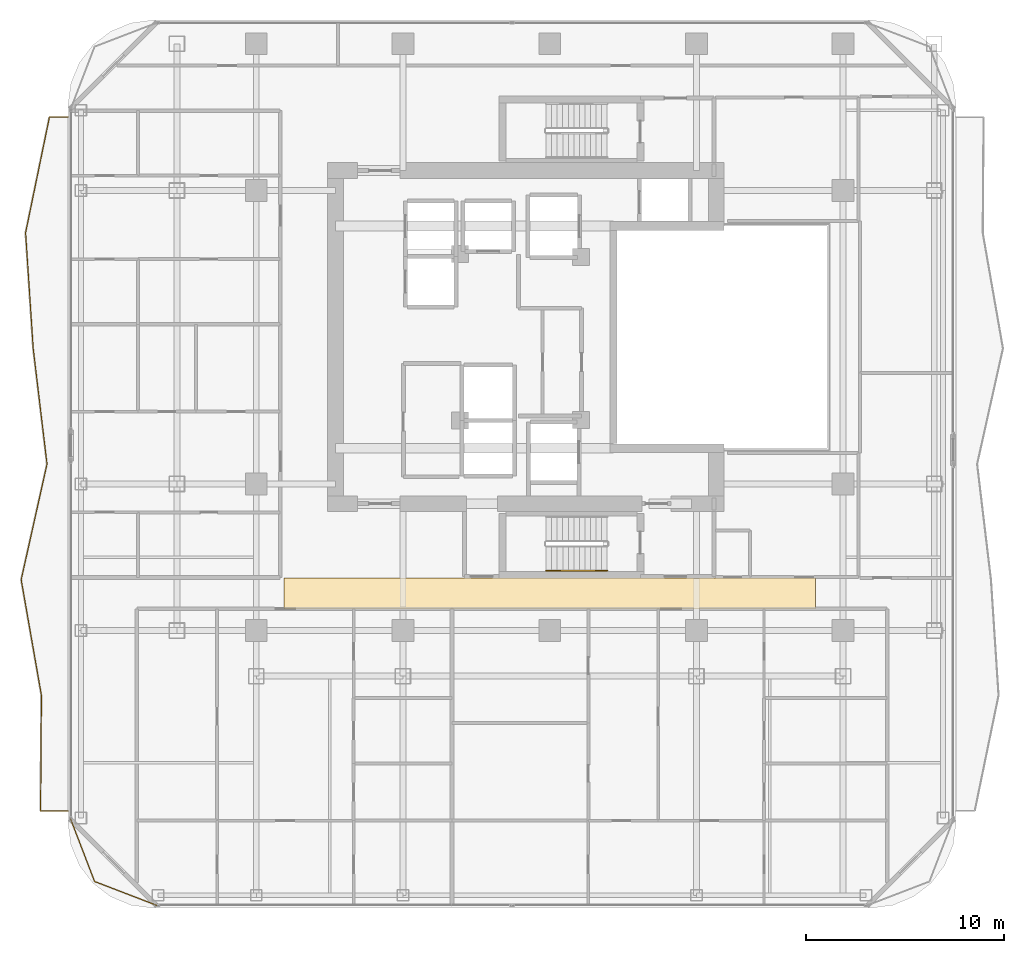
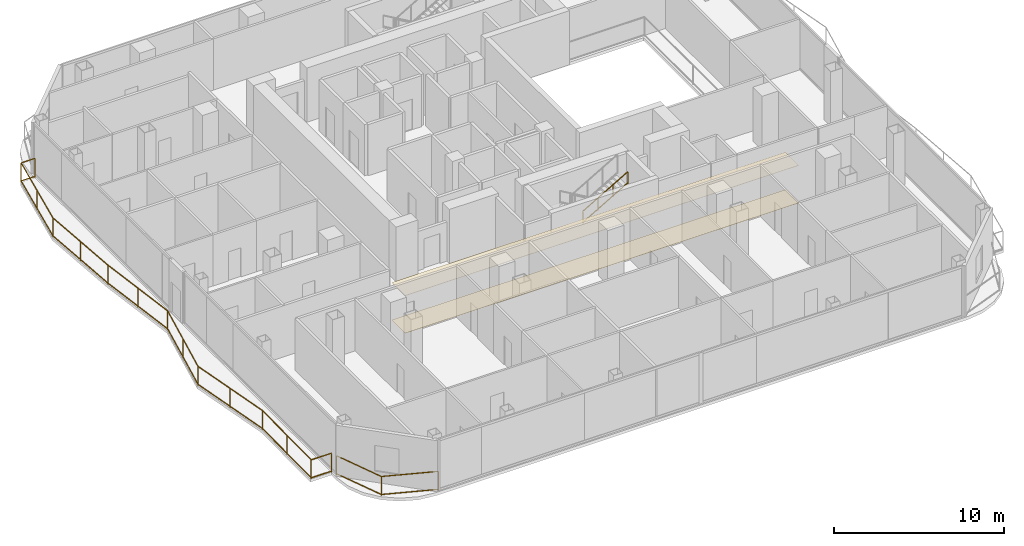
# One storey, part 21 of 23: 3 railings, 2 coverings.
"""IFC4 building model written with IfcOpenShell, lengths in metres."""

from ifc_helpers import new_model, si_unit, direction, frame, origin, origin_2d, place, context, subcontext, project, spatial, polyline, rectangle, outline, extrude, material, layer, layer_set, type_object, element, save


model = new_model("IFC4")

# Units and contexts
model_context = context("Model", 3, precision=1e-05, world=origin(), true_north=direction((0.0, 1.0)))
body_context = subcontext(model_context, "Body", "Model", "MODEL_VIEW")
ifc_project = project(units=[si_unit("LENGTHUNIT", "METRE"), si_unit("AREAUNIT", "SQUARE_METRE"), si_unit("VOLUMEUNIT", "CUBIC_METRE"), si_unit("PLANEANGLEUNIT", "RADIAN"), si_unit("MASSUNIT", "GRAM", prefix="KILO")], contexts=[model_context])

# Site, building, storey
site_placement = place(None, origin())
site = spatial("IfcSite", under=ifc_project, at=site_placement, CompositionType="ELEMENT")
building_placement = place(site_placement, origin())
building = spatial("IfcBuilding", under=site, at=building_placement, Name="Khorvyn Point Tower", CompositionType="ELEMENT")
storey_placement = place(building_placement, frame((0.0, 0.0, 199.199951171875)))
storey = spatial("IfcBuildingStorey", under=building, at=storey_placement, Name="L49", CompositionType="ELEMENT", Elevation=199.199951171875)

# Railings
ifc_material_1 = material(Name="Anodised aluminium 6063-T6 and laminated safety glass", Category="aluminium")
railing_type_1 = type_object("IfcRailingType", Name="Laminated Glass and Aluminium Balcony Guardrail 1400", PredefinedType="BALUSTRADE", material=ifc_material_1)
railing_1_placement = place(storey_placement, frame((-24.17431640625, -24.28125, 0.0)))
element("IfcRailing", 1, at=railing_1_placement, inside=storey, type_object=railing_type_1, Name="L49 Rounded Corner Edge Guardrail SW", PredefinedType="BALUSTRADE", context=body_context, shape_type="SweptSolid", body=[
    extrude(rectangle(XDim=0.048095703125, YDim=0.048095703125, at=origin_2d()), frame((0.0, 0.0, 1.3759765625), z_axis=(0.358343916815, -0.933589651443, 0.0), x_axis=(0.933589651443, 0.358343916815, 0.0)), (0.0, 0.0, 1.0), 3.400390625),
    extrude(rectangle(XDim=0.048095703125, YDim=0.048095703125, at=origin_2d()), frame((0.0, 0.0, 0.080078125), z_axis=(0.358343916815, -0.933589651443, 0.0), x_axis=(0.933589651443, 0.358343916815, 0.0)), (0.0, 0.0, 1.0), 3.400390625),
    extrude(rectangle(XDim=0.048095703125, YDim=0.048095703125, at=origin_2d()), frame((1.218505859375, -3.174560546875, 1.3759765625), z_axis=(0.933589651443, -0.358343916815, 0.0), x_axis=(0.358343916815, 0.933589651443, 0.0)), (0.0, 0.0, 1.0), 3.400390625),
    extrude(rectangle(XDim=0.048095703125, YDim=0.048095703125, at=origin_2d()), frame((1.218505859375, -3.174560546875, 0.080078125), z_axis=(0.933589651443, -0.358343916815, 0.0), x_axis=(0.358343916815, 0.933589651443, 0.0)), (0.0, 0.0, 1.0), 3.400390625),
    extrude(rectangle(XDim=0.0419921875, YDim=0.0419921875, at=origin_2d()), origin(), (0.0, 0.0, 1.0), 1.351806640625),
    extrude(rectangle(XDim=0.0419921875, YDim=0.0419921875, at=origin_2d()), frame((1.218505859375, -3.174560546875, 0.0)), (0.0, 0.0, 1.0), 1.351806640625),
    extrude(rectangle(XDim=0.0419921875, YDim=0.0419921875, at=origin_2d()), frame((4.39306640625, -4.39306640625, 0.0)), (0.0, 0.0, 1.0), 1.351806640625),
])
railing_2_placement = place(storey_placement, frame((-24.300048828125, 11.10009765625, 0.0)))
element("IfcRailing", 2, at=railing_2_placement, inside=storey, type_object=railing_type_1, Name="L49 West Balcony Guardrail", PredefinedType="BALUSTRADE", context=body_context, shape_type="SweptSolid", body=[
    extrude(rectangle(XDim=0.048095703125, YDim=0.048095703125, at=origin_2d()), frame((0.0, 0.0, 1.3759765625), z_axis=(-1.0, 0.0, 0.0), x_axis=(0.0, -1.0, 0.0)), (0.0, 0.0, 1.0), 0.932373046875),
    extrude(rectangle(XDim=0.048095703125, YDim=0.048095703125, at=origin_2d()), frame((0.0, 0.0, 0.080078125), z_axis=(-1.0, 0.0, 0.0), x_axis=(0.0, -1.0, 0.0)), (0.0, 0.0, 1.0), 0.932373046875),
    extrude(rectangle(XDim=0.048095703125, YDim=0.048095703125, at=origin_2d()), frame((-0.932373046875, 0.0, 1.3759765625), z_axis=(-0.201992928679, -0.979386980087, 0.0), x_axis=(0.979386980087, -0.201992928679, 0.0)), (0.0, 0.0, 1.0), 5.956298828125),
    extrude(rectangle(XDim=0.048095703125, YDim=0.048095703125, at=origin_2d()), frame((-0.932373046875, 0.0, 0.080078125), z_axis=(-0.201992928679, -0.979386980087, 0.0), x_axis=(0.979386980087, -0.201992928679, 0.0)), (0.0, 0.0, 1.0), 5.956298828125),
    extrude(rectangle(XDim=0.048095703125, YDim=0.048095703125, at=origin_2d()), frame((-2.135498046875, -5.83349609375, 1.3759765625), z_axis=(0.065609804276, -0.997845355545, 0.0), x_axis=(0.997845355545, 0.065609804276, 0.0)), (0.0, 0.0, 1.0), 5.845947265625),
    extrude(rectangle(XDim=0.048095703125, YDim=0.048095703125, at=origin_2d()), frame((-2.135498046875, -5.83349609375, 0.080078125), z_axis=(0.065609804276, -0.997845355545, 0.0), x_axis=(0.997845355545, 0.065609804276, 0.0)), (0.0, 0.0, 1.0), 5.845947265625),
    extrude(rectangle(XDim=0.048095703125, YDim=0.048095703125, at=origin_2d()), frame((-1.751953125, -11.666748046875, 1.3759765625), z_axis=(0.118688010745, -0.992931596891, 0.0), x_axis=(0.992931596891, 0.118688010745, 0.0)), (0.0, 0.0, 1.0), 5.874755859375),
    extrude(rectangle(XDim=0.048095703125, YDim=0.048095703125, at=origin_2d()), frame((-1.751953125, -11.666748046875, 0.080078125), z_axis=(0.118688010745, -0.992931596891, 0.0), x_axis=(0.992931596891, 0.118688010745, 0.0)), (0.0, 0.0, 1.0), 5.874755859375),
    extrude(rectangle(XDim=0.048095703125, YDim=0.048095703125, at=origin_2d()), frame((-1.0546875, -17.5, 1.3759765625), z_axis=(-0.217989898033, -0.975951025593, 0.0), x_axis=(0.975951025593, -0.217989898033, 0.0)), (0.0, 0.0, 1.0), 5.977294921875),
    extrude(rectangle(XDim=0.048095703125, YDim=0.048095703125, at=origin_2d()), frame((-1.0546875, -17.5, 0.080078125), z_axis=(-0.217989898033, -0.975951025593, 0.0), x_axis=(0.975951025593, -0.217989898033, 0.0)), (0.0, 0.0, 1.0), 5.977294921875),
    extrude(rectangle(XDim=0.048095703125, YDim=0.048095703125, at=origin_2d()), frame((-2.357666015625, -23.33349609375, 1.3759765625), z_axis=(0.172409332751, -0.985025391541, 0.0), x_axis=(0.985025391541, 0.172409332751, 0.0)), (0.0, 0.0, 1.0), 5.921875),
    extrude(rectangle(XDim=0.048095703125, YDim=0.048095703125, at=origin_2d()), frame((-2.357666015625, -23.33349609375, 0.080078125), z_axis=(0.172409332751, -0.985025391541, 0.0), x_axis=(0.985025391541, 0.172409332751, 0.0)), (0.0, 0.0, 1.0), 5.921875),
    extrude(rectangle(XDim=0.048095703125, YDim=0.048095703125, at=origin_2d()), frame((-1.336669921875, -29.166748046875, 1.3759765625), z_axis=(-0.00744967399, -0.999972250794, 0.0), x_axis=(0.999972250794, -0.00744967399, 0.0)), (0.0, 0.0, 1.0), 5.83349609375),
    extrude(rectangle(XDim=0.048095703125, YDim=0.048095703125, at=origin_2d()), frame((-1.336669921875, -29.166748046875, 0.080078125), z_axis=(-0.00744967399, -0.999972250794, 0.0), x_axis=(0.999972250794, -0.00744967399, 0.0)), (0.0, 0.0, 1.0), 5.83349609375),
    extrude(rectangle(XDim=0.048095703125, YDim=0.048095703125, at=origin_2d()), frame((-1.380126953125, -35.0, 1.3759765625), z_axis=(1.0, 0.0, 0.0), x_axis=(0.0, 1.0, 0.0)), (0.0, 0.0, 1.0), 1.380126953125),
    extrude(rectangle(XDim=0.048095703125, YDim=0.048095703125, at=origin_2d()), frame((-1.380126953125, -35.0, 0.080078125), z_axis=(1.0, 0.0, 0.0), x_axis=(0.0, 1.0, 0.0)), (0.0, 0.0, 1.0), 1.380126953125),
    extrude(rectangle(XDim=0.0419921875, YDim=0.0419921875, at=origin_2d()), origin(), (0.0, 0.0, 1.0), 1.351806640625),
    extrude(rectangle(XDim=0.0419921875, YDim=0.0419921875, at=origin_2d()), frame((-0.932373046875, 0.0, 0.0)), (0.0, 0.0, 1.0), 1.351806640625),
    extrude(rectangle(XDim=0.0419921875, YDim=0.0419921875, at=origin_2d()), frame((-1.533935546875, -2.916748046875, 0.0)), (0.0, 0.0, 1.0), 1.351806640625),
    extrude(rectangle(XDim=0.0419921875, YDim=0.0419921875, at=origin_2d()), frame((-2.135498046875, -5.83349609375, 0.0)), (0.0, 0.0, 1.0), 1.351806640625),
    extrude(rectangle(XDim=0.0419921875, YDim=0.0419921875, at=origin_2d()), frame((-1.94384765625, -8.75, 0.0)), (0.0, 0.0, 1.0), 1.351806640625),
    extrude(rectangle(XDim=0.0419921875, YDim=0.0419921875, at=origin_2d()), frame((-1.751953125, -11.666748046875, 0.0)), (0.0, 0.0, 1.0), 1.351806640625),
    extrude(rectangle(XDim=0.0419921875, YDim=0.0419921875, at=origin_2d()), frame((-1.4033203125, -14.58349609375, 0.0)), (0.0, 0.0, 1.0), 1.351806640625),
    extrude(rectangle(XDim=0.0419921875, YDim=0.0419921875, at=origin_2d()), frame((-1.0546875, -17.5, 0.0)), (0.0, 0.0, 1.0), 1.351806640625),
    extrude(rectangle(XDim=0.0419921875, YDim=0.0419921875, at=origin_2d()), frame((-1.7060546875, -20.416748046875, 0.0)), (0.0, 0.0, 1.0), 1.351806640625),
    extrude(rectangle(XDim=0.0419921875, YDim=0.0419921875, at=origin_2d()), frame((-2.357666015625, -23.33349609375, 0.0)), (0.0, 0.0, 1.0), 1.351806640625),
    extrude(rectangle(XDim=0.0419921875, YDim=0.0419921875, at=origin_2d()), frame((-1.84716796875, -26.25, 0.0)), (0.0, 0.0, 1.0), 1.351806640625),
    extrude(rectangle(XDim=0.0419921875, YDim=0.0419921875, at=origin_2d()), frame((-1.336669921875, -29.166748046875, 0.0)), (0.0, 0.0, 1.0), 1.351806640625),
    extrude(rectangle(XDim=0.0419921875, YDim=0.0419921875, at=origin_2d()), frame((-1.3583984375, -32.08349609375, 0.0)), (0.0, 0.0, 1.0), 1.351806640625),
    extrude(rectangle(XDim=0.0419921875, YDim=0.0419921875, at=origin_2d()), frame((-1.380126953125, -35.0, 0.0)), (0.0, 0.0, 1.0), 1.351806640625),
    extrude(rectangle(XDim=0.0419921875, YDim=0.0419921875, at=origin_2d()), frame((0.0, -35.0, 0.0)), (0.0, 0.0, 1.0), 1.351806640625),
])

# Coverings
ifc_material_2 = material(Name="Mineral-fibre acoustic ceiling board", Category="gypsum")
ifc_layer_1 = layer(ifc_material_2, 0.02001953125)
ifc_layer_set_1 = layer_set([ifc_layer_1], Name="Perforated Mineral-Fibre Acoustic Suspended Ceiling 20")
covering_type_1 = type_object("IfcCoveringType", Name="Perforated Mineral-Fibre Acoustic Suspended Ceiling 20", PredefinedType="CEILING", material=ifc_layer_set_1)
covering_1_placement = place(storey_placement, frame((0.0, 0.0, 2.699951171875)))
element("IfcCovering", 3, at=covering_1_placement, inside=storey, type_object=covering_type_1, Name="L49 South Corridor Acoustic Ceiling", PredefinedType="CEILING", context=body_context, shape_type="SweptSolid", body=[
    extrude(outline(polyline([(-13.39990234375, -13.7099609375), (13.39990234375, -13.7099609375), (13.39990234375, -12.139892578125), (-13.39990234375, -12.139892578125), (-13.39990234375, -13.7099609375)])), origin(), (0.0, 0.0, 1.0), 0.02001953125),
])
ifc_material_3 = material(Name="Vitrified porcelain terrazzo tile", Category="ceramic")
ifc_layer_2 = layer(ifc_material_3, 0.01806640625)
ifc_layer_set_2 = layer_set([ifc_layer_2], Name="Porcelain Terrazzo Corridor Floor Finish Tile 18")
covering_type_2 = type_object("IfcCoveringType", Name="Porcelain Terrazzo Corridor Floor Finish Tile 18", PredefinedType="FLOORING", material=ifc_layer_set_2)
covering_2_placement = place(storey_placement, origin())
element("IfcCovering", 4, at=covering_2_placement, inside=storey, type_object=covering_type_2, Name="L49 South Corridor Terrazzo Flooring", PredefinedType="FLOORING", context=body_context, shape_type="SweptSolid", body=[
    extrude(outline(polyline([(-13.39990234375, -13.7099609375), (13.39990234375, -13.7099609375), (13.39990234375, -12.139892578125), (-13.39990234375, -12.139892578125), (-13.39990234375, -13.7099609375)])), origin(), (0.0, 0.0, 1.0), 0.01806640625),
])

# Railing
ifc_material_4 = material(Name="Stainless steel 1.4301", Category="steel")
railing_type_2 = type_object("IfcRailingType", Name="Stainless Steel 304 Stair Pitch Handrail 900", PredefinedType="HANDRAIL", material=ifc_material_4)
railing_3_placement = place(storey_placement, frame((-0.179931640625, -11.77001953125, 2.112548828125)))
element("IfcRailing", 5, at=railing_3_placement, inside=storey, type_object=railing_type_2, Name="L49 ST-01 stair handrail 2", PredefinedType="HANDRAIL", context=body_context, shape_type="SweptSolid", body=[
    extrude(rectangle(XDim=0.048095703125, YDim=0.048095703125, at=origin_2d()), frame((0.0, 0.0, 0.8759765625), z_axis=(0.864873446163, 0.0, 0.501989962173), x_axis=(0.0, 1.0, 0.0)), (0.0, 0.0, 1.0), 3.56103515625),
    extrude(rectangle(XDim=0.048095703125, YDim=0.048095703125, at=origin_2d()), frame((0.0, 0.0, 0.080078125), z_axis=(0.864873446163, 0.0, 0.501989962173), x_axis=(0.0, 1.0, 0.0)), (0.0, 0.0, 1.0), 3.56103515625),
    extrude(rectangle(XDim=0.0419921875, YDim=0.0419921875, at=origin_2d()), origin(), (0.0, 0.0, 1.0), 0.851806640625),
    extrude(rectangle(XDim=0.0419921875, YDim=0.0419921875, at=origin_2d()), frame((1.026611328125, 0.0, 0.595947265625)), (0.0, 0.0, 1.0), 0.851806640625),
    extrude(rectangle(XDim=0.0419921875, YDim=0.0419921875, at=origin_2d()), frame((2.05322265625, 0.0, 1.191650390625)), (0.0, 0.0, 1.0), 0.851806640625),
    extrude(rectangle(XDim=0.0419921875, YDim=0.0419921875, at=origin_2d()), frame((3.079833984375, 0.0, 1.78759765625)), (0.0, 0.0, 1.0), 0.851806640625),
])

save(model, "model.ifc")
